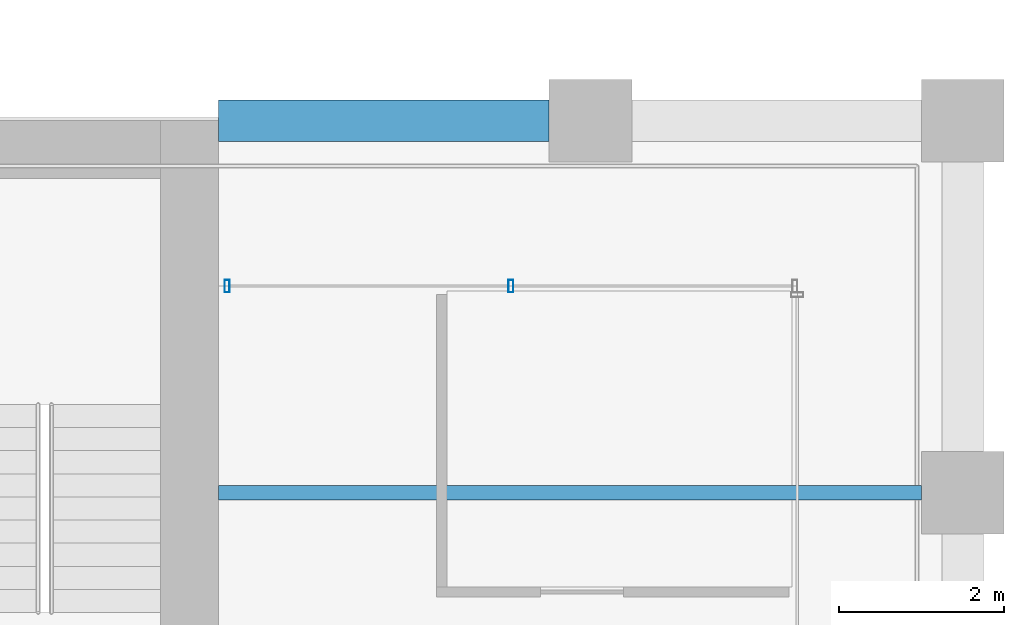
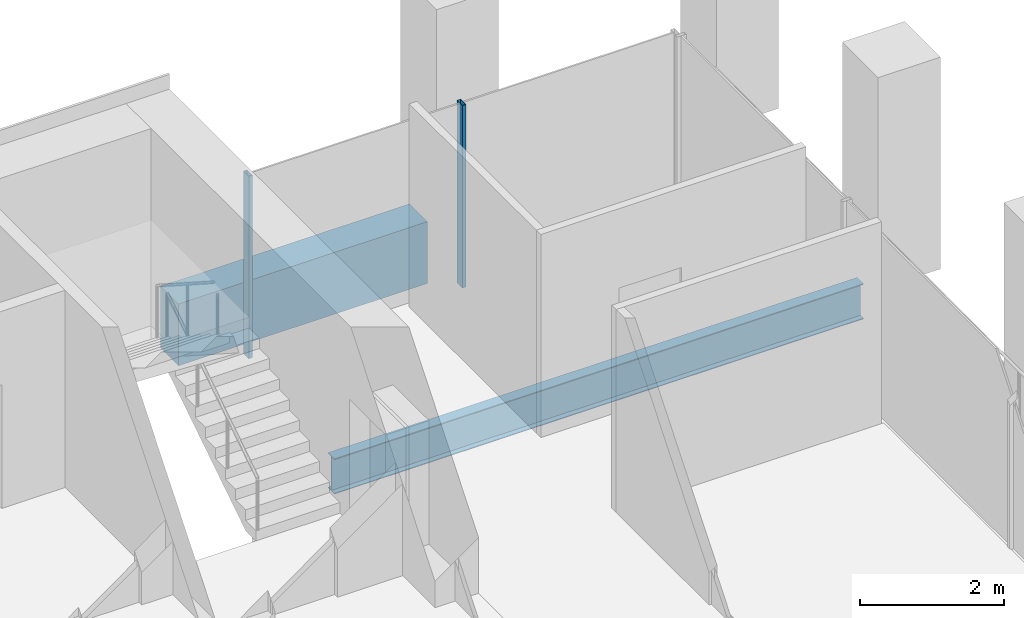
# One storey, part 36 of 47: 2 beams, 2 members, 1 element without a shape of its own.
"""IFC4 building model written with IfcOpenShell, lengths in metres."""

from ifc_helpers import new_model, si_unit, direction, frame, origin, origin_2d, place, context, subcontext, project, spatial, rectangle, hollow_rectangle, i_section, extrude, material, material_profile, profile_set, type_object, element, aggregate, save


model = new_model("IFC4")

# Units and contexts
model_context = context("Model", 3, precision=1e-05, world=origin(), true_north=direction((0.0, 1.0)))
body_context = subcontext(model_context, "Body", "Model", "MODEL_VIEW")
ifc_project = project(units=[si_unit("LENGTHUNIT", "METRE"), si_unit("AREAUNIT", "SQUARE_METRE"), si_unit("VOLUMEUNIT", "CUBIC_METRE"), si_unit("PLANEANGLEUNIT", "RADIAN"), si_unit("MASSUNIT", "GRAM", prefix="KILO")], contexts=[model_context])

# Site, building, storey
site_placement = place(None, origin())
site = spatial("IfcSite", under=ifc_project, at=site_placement, CompositionType="ELEMENT")
building_placement = place(site_placement, origin())
building = spatial("IfcBuilding", under=site, at=building_placement, Name="Altepetl Exchange Towers", CompositionType="ELEMENT")
storey_placement = place(building_placement, frame((0.0, 0.0, 99.199951171875)))
storey = spatial("IfcBuildingStorey", under=building, at=storey_placement, Name="L24", CompositionType="ELEMENT", Elevation=99.199951171875)

# Beam
ifc_material_1 = material(Name="Steel S355", Category="steel")
ifc_material_profile_1 = material_profile(ifc_material_1, i_section(OverallWidth=0.177978515625, OverallDepth=0.59912109375, WebThickness=0.010009765625, FlangeThickness=0.0126953125, at=origin_2d()), Name="W24X55")
ifc_profile_set_1 = profile_set([ifc_material_profile_1], Name="Steel S355")
beam_type_1 = type_object("IfcBeamType", Name="Floor beam W24X55", PredefinedType="BEAM", material=ifc_profile_set_1)
beam_1_placement = place(storey_placement, frame((117.0, 45.0, -0.449462890625), z_axis=(1.0, 0.0, 0.0), x_axis=(0.0, 1.0, 0.0)))
element("IfcBeam", 1, at=beam_1_placement, inside=storey, type_object=beam_type_1, Name="bm:B:L24:003", PredefinedType="BEAM", context=body_context, shape_type="SweptSolid", body=[
    extrude(i_section(OverallWidth=0.177978515625, OverallDepth=0.59912109375, WebThickness=0.010009765625, FlangeThickness=0.0126953125, at=origin_2d()), origin(), (0.0, 0.0, 1.0), 8.5),
])

# Curtain wall, members
ifc_material_2 = material(Name="Aluminium 6063-T6 glazing", Category="aluminium")
curtain_wall_type = type_object("IfcCurtainWallType", Name="Loggia glazing system", PredefinedType="NOTDEFINED", material=ifc_material_2)
curtain_wall_placement = place(storey_placement, origin())
curtain_wall = element("IfcCurtainWall", 2, at=curtain_wall_placement, inside=storey, type_object=curtain_wall_type, Name="CW1 run", PredefinedType="NOTDEFINED")
ifc_material_3 = material(Name="Aluminium 6063-T6", Category="aluminium")
ifc_material_profile_2 = material_profile(ifc_material_3, hollow_rectangle(XDim=0.06005859375, YDim=0.14990234375, WallThickness=0.0029296875, at=origin_2d()), Name="Mullion 60x150 aluminium")
ifc_profile_set_2 = profile_set([ifc_material_profile_2], Name="Aluminium 6063-T6")
member_type = type_object("IfcMemberType", Name="Mullion 60x150 aluminium", PredefinedType="MULLION", material=ifc_profile_set_2)
member_1_placement = place(storey_placement, frame((120.53759765625, 47.5, 0.0), z_axis=(0.0, 0.0, 1.0), x_axis=(-1.0, 0.0, 0.0)))
member_1 = element("IfcMember", 3, at=member_1_placement, type_object=member_type, Name="MU1 mullion", PredefinedType="MULLION", context=body_context, shape_type="SweptSolid", body=[
    extrude(hollow_rectangle(XDim=0.06005859375, YDim=0.14990234375, WallThickness=0.0029296875, at=origin_2d()), origin(), (0.0, 0.0, 1.0), 3.10009765625),
])
member_2_placement = place(storey_placement, frame((117.10498046875, 47.5, 0.0), z_axis=(0.0, 0.0, 1.0), x_axis=(-1.0, 0.0, 0.0)))
member_2 = element("IfcMember", 4, at=member_2_placement, type_object=member_type, Name="MU1 mullion", PredefinedType="MULLION", context=body_context, shape_type="SweptSolid", body=[
    extrude(hollow_rectangle(XDim=0.06005859375, YDim=0.14990234375, WallThickness=0.0029296875, at=origin_2d()), origin(), (0.0, 0.0, 1.0), 3.10009765625),
])
aggregate(curtain_wall, [member_1, member_2])

# Beam
ifc_material_4 = material(Name="Concrete C50/60 precast with cantera amarilla facing", Category="concrete")
ifc_material_profile_3 = material_profile(ifc_material_4, rectangle(XDim=0.5, YDim=1.050048828125, at=origin_2d()), Name="500 x 1050")
ifc_profile_set_3 = profile_set([ifc_material_profile_3], Name="Concrete C50/60 precast with cantera amarilla facing")
beam_type_2 = type_object("IfcBeamType", Name="Spandrel beam 500x1050 cantera amarilla", PredefinedType="SPANDREL", material=ifc_profile_set_3)
beam_2_placement = place(storey_placement, frame((121.0, 49.5, -0.675048828125), z_axis=(-1.0, 0.0, 0.0), x_axis=(0.0, -1.0, 0.0)))
element("IfcBeam", 5, at=beam_2_placement, inside=storey, type_object=beam_type_2, Name="sp:B:L24:014", PredefinedType="SPANDREL", context=body_context, shape_type="SweptSolid", body=[
    extrude(rectangle(XDim=0.5, YDim=1.050048828125, at=origin_2d()), origin(), (0.0, 0.0, 1.0), 4.0),
])

save(model, "model.ifc")
